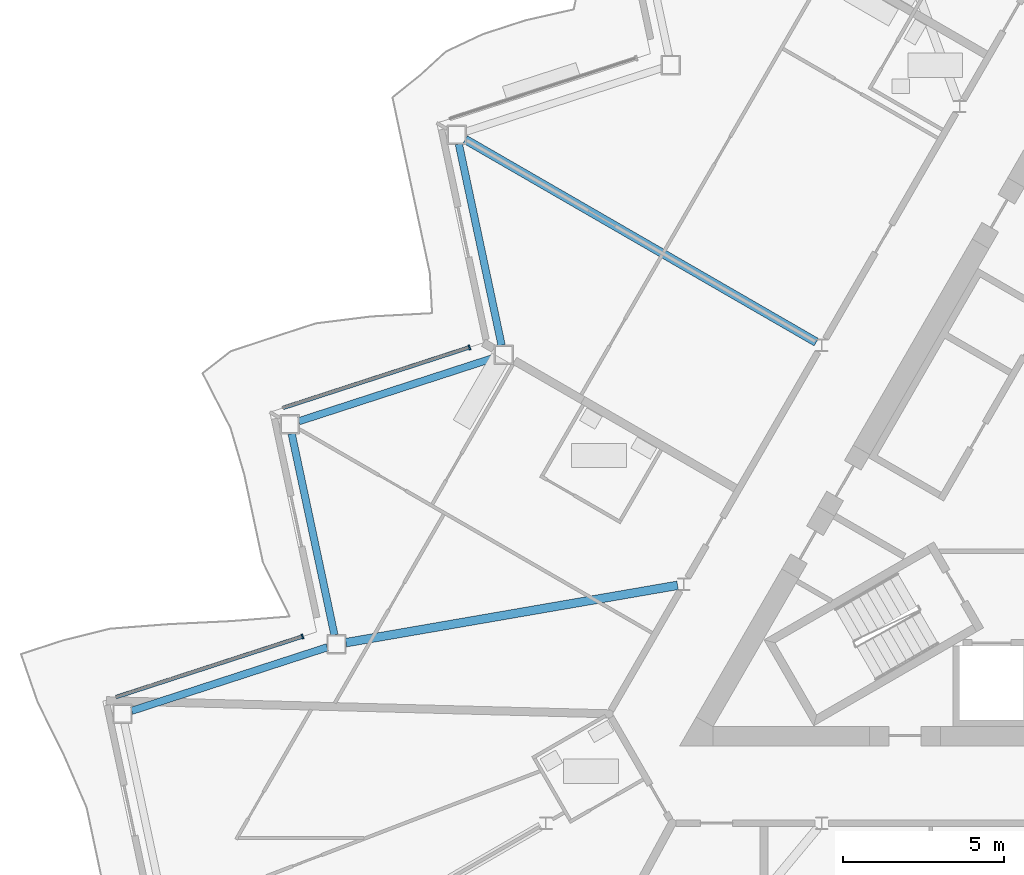
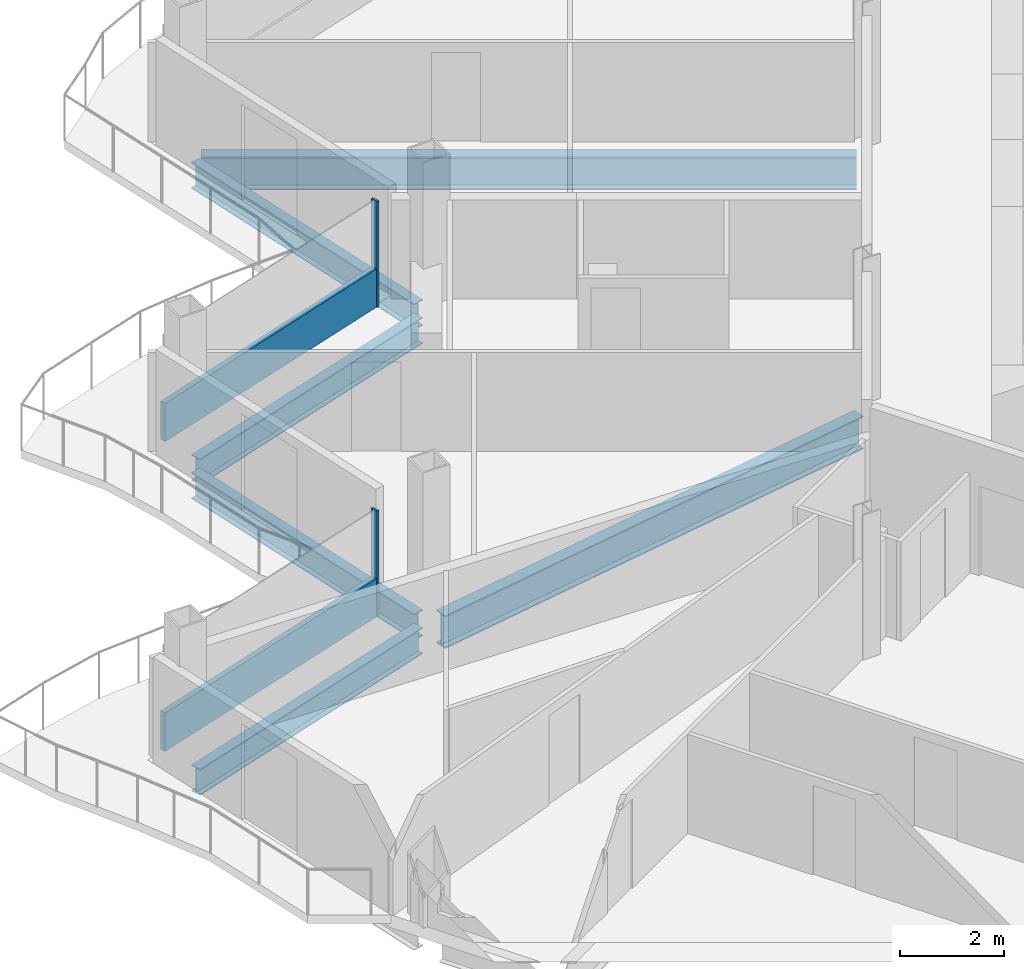
# One storey, part 6 of 28: 6 beams, 4 members, 2 elements without a shape of their own.
"""IFC4 building model written with IfcOpenShell, lengths in metres."""

import ifcopenshell
import ifcopenshell.guid

model = None  # the IFC model being written
_history = None  # IfcOwnerHistory: only IFC2X3 demands one
_inside = {}  # id of a spatial element -> (the spatial element, [elements in it])
_under = {}  # id of a project, library or spatial element -> (it, [spatial elements below it])
_declared = {}  # id of a project -> (the project, [libraries it declares])
_typed = {}  # id of a type object -> (the type object, [elements of that type])
_made_of = {}  # id of a material, layer set ... -> (it, [elements and type objects made of it])


def new_model(schema):
    """Start an empty IFC model of exactly this schema.

    Asked for "IFC4X3", IfcOpenShell would pick the latest addendum, in which some entities
    have other attributes; the version numbers below select the first issue.
    IFC2X3 requires an IfcOwnerHistory on every rooted entity: one is made here for all.
    """
    global model, _history
    if schema == "IFC4X3":
        model = ifcopenshell.file(schema_version=(4, 3, 0, 0))
    else:
        model = ifcopenshell.file(schema=schema)
    _inside.clear()
    _under.clear()
    _declared.clear()
    _typed.clear()
    _made_of.clear()
    _history = None
    if model.schema == "IFC2X3":
        org = make("IfcOrganization", Name="unknown")
        user = make(
            "IfcPersonAndOrganization",
            ThePerson=make("IfcPerson", FamilyName="unknown"),
            TheOrganization=org,
        )
        app = make(
            "IfcApplication",
            ApplicationDeveloper=org,
            Version="unknown",
            ApplicationFullName="unknown",
            ApplicationIdentifier="unknown",
        )
        _history = make(
            "IfcOwnerHistory",
            OwningUser=user,
            OwningApplication=app,
            ChangeAction="ADDED",
            CreationDate=0,
        )
    return model


def make(cls, **values):
    """One entity of the class cls with the attributes given. An attribute that is None is left unset."""
    return model.create_entity(
        cls, **{name: value for name, value in values.items() if value is not None}
    )


def rooted(cls, **values):
    """An entity with a GlobalId (a new one), such as an element, a storey or a relation."""
    return make(cls, GlobalId=ifcopenshell.guid.new(), OwnerHistory=_history, **values)


def si_unit(unit_type, name, prefix=None):
    """IfcSIUnit, for example si_unit("LENGTHUNIT", "METRE", prefix="MILLI")."""
    return make("IfcSIUnit", UnitType=unit_type, Prefix=prefix, Name=name)


def assignment(units):
    """IfcUnitAssignment: the units of a project."""
    return None if units is None else make("IfcUnitAssignment", Units=units)


def point(xyz):
    """IfcCartesianPoint."""
    return None if xyz is None else make("IfcCartesianPoint", Coordinates=xyz)


def direction(xyz):
    """IfcDirection."""
    return None if xyz is None else make("IfcDirection", DirectionRatios=xyz)


def frame(location, z_axis=None, x_axis=None):
    """IfcAxis2Placement3D, a coordinate frame: its origin and axes. An axis left out is left unset."""
    return make(
        "IfcAxis2Placement3D",
        Location=point(location),
        Axis=direction(z_axis),
        RefDirection=direction(x_axis),
    )


def frame_2d(location, x_axis=None):
    """IfcAxis2Placement2D, a coordinate frame in the plane: its origin and x axis."""
    return make(
        "IfcAxis2Placement2D", Location=point(location), RefDirection=direction(x_axis)
    )


def origin():
    """The frame at (0, 0, 0) with its axes left unset."""
    return frame((0.0, 0.0, 0.0))


def origin_2d():
    """The frame at (0, 0) in the plane with its x axis left unset."""
    return frame_2d((0.0, 0.0))


def place(relative_to, where):
    """IfcLocalPlacement: puts the frame where relative to a parent placement (None: the world)."""
    return make(
        "IfcLocalPlacement", PlacementRelTo=relative_to, RelativePlacement=where
    )


def context(
    kind, dimensions, precision=None, world=None, true_north=None, identifier=None
):
    """IfcGeometricRepresentationContext, for example the 3D "Model" context."""
    return make(
        "IfcGeometricRepresentationContext",
        ContextIdentifier=identifier,
        ContextType=kind,
        CoordinateSpaceDimension=dimensions,
        Precision=precision,
        WorldCoordinateSystem=world,
        TrueNorth=true_north,
    )


def subcontext(parent, identifier, kind, view, scale=None):
    """IfcGeometricRepresentationSubContext, for example "Body" below "Model"."""
    return make(
        "IfcGeometricRepresentationSubContext",
        ContextIdentifier=identifier,
        ContextType=kind,
        ParentContext=parent,
        TargetScale=scale,
        TargetView=view,
    )


def project(units=None, contexts=None):
    """IfcProject with its units and contexts."""
    return rooted(
        "IfcProject",
        Name="project",
        RepresentationContexts=contexts,
        UnitsInContext=assignment(units),
    )


def spatial(cls, under=None, at=None, **own):
    """A site, building, storey or space (cls), placed at a placement, below another one or the project."""
    s = rooted(cls, ObjectPlacement=at, **own)
    if under is not None:
        _under.setdefault(under.id(), (under, []))[1].append(s)
    return s


def profile(cls, at=None, kind="AREA", **sizes):
    """A parametric profile (cls). Its sizes go by their IFC names, for example OverallWidth=200.0."""
    return make(cls, ProfileType=kind, Position=at, **sizes)


def rectangle(**sizes):
    """IfcRectangleProfileDef."""
    return profile("IfcRectangleProfileDef", **sizes)


def i_section(**sizes):
    """IfcIShapeProfileDef."""
    return profile("IfcIShapeProfileDef", **sizes)


def extrude(swept, where, along, depth):
    """IfcExtrudedAreaSolid: the profile swept, set in the frame where, extruded along a direction by depth."""
    return make(
        "IfcExtrudedAreaSolid",
        SweptArea=swept,
        Position=where,
        ExtrudedDirection=direction(along),
        Depth=depth,
    )


def shape(context_of_items, identifier, shape_type, items):
    """IfcShapeRepresentation: the items that make up one representation, for example the "Body"."""
    return make(
        "IfcShapeRepresentation",
        ContextOfItems=context_of_items,
        RepresentationIdentifier=identifier,
        RepresentationType=shape_type,
        Items=items,
    )


def material(Name=None, Category=None):
    """IfcMaterial."""
    return make("IfcMaterial", Name=Name, Category=Category)


def layer(
    of_material, thickness, ventilated=None, Name=None, Category=None, Priority=None
):
    """IfcMaterialLayer: one layer of a wall or slab, of a material (None: an air gap)."""
    return make(
        "IfcMaterialLayer",
        Material=of_material,
        LayerThickness=thickness,
        IsVentilated=ventilated,
        Name=Name,
        Category=Category,
        Priority=Priority,
    )


def layer_set(layers, Name=None):
    """IfcMaterialLayerSet."""
    return make("IfcMaterialLayerSet", MaterialLayers=layers, LayerSetName=Name)


def material_profile(
    of_material, cross_section, Name=None, Category=None, Priority=None
):
    """IfcMaterialProfile: a cross section and its material."""
    return make(
        "IfcMaterialProfile",
        Name=Name,
        Material=of_material,
        Profile=cross_section,
        Priority=Priority,
        Category=Category,
    )


def profile_set(profiles, Name=None, composite=None):
    """IfcMaterialProfileSet."""
    return make(
        "IfcMaterialProfileSet",
        Name=Name,
        MaterialProfiles=profiles,
        CompositeProfile=composite,
    )


def made_of(thing, what):
    """Note that an element or type object is made of a material, layer set ...; save() writes the relation."""
    if what is not None:
        _made_of.setdefault(what.id(), (what, []))[1].append(thing)
    return thing


def type_object(cls, material=None, **own):
    """A type object (cls), such as IfcWallType, which elements share."""
    return made_of(rooted(cls, **own), material)


def element(
    cls,
    number,
    at=None,
    inside=None,
    cuts=None,
    type_object=None,
    material=None,
    context=None,
    identifier="Body",
    shape_type=None,
    held_by="IfcProductDefinitionShape",
    body=None,
    shapes=None,
    **own,
):
    """One element of the class cls, such as IfcWall. Its Tag is "e" and its number.

    at: its placement. inside: the storey or other place that contains it. cuts: it is an
    opening in that element (IfcRelVoidsElement). A single representation is given by context,
    identifier, shape_type and body (its items); several are given by shapes. held_by: the class
    of the entity that holds the representations. save() writes the other relations.
    """
    e = rooted(cls, Tag="e%d" % number, ObjectPlacement=at, **own)
    if body is not None:
        shapes = [shape(context, identifier, shape_type, body)]
    if shapes is not None:
        e.Representation = make(held_by, Representations=shapes)
    if inside is not None:
        _inside.setdefault(inside.id(), (inside, []))[1].append(e)
    if cuts is not None:
        rooted(
            "IfcRelVoidsElement", RelatingBuildingElement=cuts, RelatedOpeningElement=e
        )
    if type_object is not None:
        _typed.setdefault(type_object.id(), (type_object, []))[1].append(e)
    return made_of(e, material)


def aggregate(whole, parts):
    """IfcRelAggregates: a whole, such as a stair, and the parts it consists of."""
    return rooted("IfcRelAggregates", RelatingObject=whole, RelatedObjects=parts)


def save(model, path):
    """Write the relations noted so far, then the file.

    IfcRelAggregates (storeys below a building ...), IfcRelContainedInSpatialStructure (elements
    in a storey), IfcRelDefinesByType, IfcRelAssociatesMaterial and IfcRelDeclares: one each for
    every whole, place, type object, material and project.
    """
    for whole, parts in _under.values():
        aggregate(whole, parts)
    for where, things in _inside.values():
        rooted(
            "IfcRelContainedInSpatialStructure",
            RelatedElements=things,
            RelatingStructure=where,
        )
    for kind, things in _typed.values():
        rooted("IfcRelDefinesByType", RelatedObjects=things, RelatingType=kind)
    for what, things in _made_of.values():
        rooted("IfcRelAssociatesMaterial", RelatedObjects=things, RelatingMaterial=what)
    for by, libraries in _declared.values():
        rooted("IfcRelDeclares", RelatingContext=by, RelatedDefinitions=libraries)
    model.write(path)


model = new_model("IFC4")

# Units and contexts
model_context = context("Model", 3, precision=1e-05, world=origin(), true_north=direction((0.0, 1.0)))
body_context = subcontext(model_context, "Body", "Model", "MODEL_VIEW")
ifc_project = project(units=[si_unit("LENGTHUNIT", "METRE"), si_unit("AREAUNIT", "SQUARE_METRE"), si_unit("VOLUMEUNIT", "CUBIC_METRE"), si_unit("PLANEANGLEUNIT", "RADIAN"), si_unit("MASSUNIT", "GRAM", prefix="KILO")], contexts=[model_context])

# Site, building, storey
site_placement = place(None, origin())
site = spatial("IfcSite", under=ifc_project, at=site_placement, CompositionType="ELEMENT")
building_placement = place(site_placement, origin())
building = spatial("IfcBuilding", under=site, at=building_placement, Name="Cormorant Prow Tower", CompositionType="ELEMENT")
storey_placement = place(building_placement, frame((0.0, 0.0, 305.199951171875)))
storey = spatial("IfcBuildingStorey", under=building, at=storey_placement, Name="L66", CompositionType="ELEMENT", Elevation=305.199951171875)

# Beams
ifc_material_1 = material(Name="Structural steel ASTM A992 Gr 50", Category="steel")
ifc_material_profile_1 = material_profile(ifc_material_1, i_section(OverallWidth=0.267822265625, OverallDepth=0.77001953125, WebThickness=0.015625, FlangeThickness=0.025390625, at=origin_2d()), Name="W30x132")
ifc_profile_set_1 = profile_set([ifc_material_profile_1], Name="Structural steel ASTM A992 Gr 50")
beam_type_1 = type_object("IfcBeamType", Name="Radial floor beam W30x132", PredefinedType="BEAM", material=ifc_profile_set_1)
beam_1_placement = place(storey_placement, frame((-8.749755859375, 5.051513671875, -0.684814453125), z_axis=(-0.866021086443, 0.50000747778, 0.0), x_axis=(-0.50000747778, -0.866021086443, 0.0)))
element("IfcBeam", 1, at=beam_1_placement, inside=storey, type_object=beam_type_1, Name="Radial floor beam FB3 3 L66", PredefinedType="BEAM", context=body_context, shape_type="SweptSolid", body=[
    extrude(i_section(OverallWidth=0.267822265625, OverallDepth=0.77001953125, WebThickness=0.015625, FlangeThickness=0.025390625, at=origin_2d()), origin(), (0.0, 0.0, 1.0), 12.604736328125),
])
beam_2_placement = place(storey_placement, frame((-13.0625, -2.510009765625, -0.684814453125), z_axis=(-0.985379592304, -0.170373293304, 0.0), x_axis=(0.170373293304, -0.985379592304, 0.0)))
element("IfcBeam", 2, at=beam_2_placement, inside=storey, type_object=beam_type_1, Name="Radial floor beam FB3 4 L66", PredefinedType="BEAM", context=body_context, shape_type="SweptSolid", body=[
    extrude(i_section(OverallWidth=0.267822265625, OverallDepth=0.77001953125, WebThickness=0.015625, FlangeThickness=0.025390625, at=origin_2d()), origin(), (0.0, 0.0, 1.0), 10.465087890625),
])

# Curtain wall, member
ifc_material_2 = material(Name="Aluminium 6063-T6", Category="aluminium")
ifc_layer = layer(ifc_material_2, 0.159912109375)
ifc_layer_set = layer_set([ifc_layer], Name="Aluminium 6063-T6")
curtain_wall_type = type_object("IfcCurtainWallType", Name="Residential unitised curtain wall 160", PredefinedType="NOTDEFINED", material=ifc_layer_set)
curtain_wall_1_placement = place(storey_placement, origin())
curtain_wall_1 = element("IfcCurtainWall", 3, at=curtain_wall_1_placement, inside=storey, type_object=curtain_wall_type, Name="Residential curtain wall WNW06", PredefinedType="NOTDEFINED")
ifc_material_3 = material(Name="Aluminium 6063-T6", Category="aluminium")
ifc_material_profile_2 = material_profile(ifc_material_3, rectangle(XDim=0.159912109375, YDim=0.050048828125, at=origin_2d()), Name="Residential mullion 50x160")
ifc_profile_set_2 = profile_set([ifc_material_profile_2], Name="Aluminium 6063-T6")
member_type_1 = type_object("IfcMemberType", Name="Residential mullion 50x160", PredefinedType="MULLION", material=ifc_profile_set_2)
member_1_placement = place(storey_placement, frame((-19.5341796875, 4.89013671875, 0.0), z_axis=(0.0, 0.0, 1.0), x_axis=(0.309017039823, -0.951056501528, 0.0)))
member_1 = element("IfcMember", 4, at=member_1_placement, type_object=member_type_1, Name="Residential mullion WNW06", PredefinedType="MULLION", context=body_context, shape_type="SweptSolid", body=[
    extrude(rectangle(XDim=0.159912109375, YDim=0.050048828125, at=origin_2d()), origin(), (0.0, 0.0, 1.0), 2.488037109375),
])

curtain_wall_2_placement = place(storey_placement, origin())
curtain_wall_2 = element("IfcCurtainWall", 5, at=curtain_wall_2_placement, inside=storey, type_object=curtain_wall_type, Name="Residential curtain wall WNW08", PredefinedType="NOTDEFINED")
member_2_placement = place(storey_placement, frame((-24.72509765625, -4.100830078125, 0.0), z_axis=(0.0, 0.0, 1.0), x_axis=(0.309016868255, -0.951056557274, 0.0)))
member_2 = element("IfcMember", 6, at=member_2_placement, type_object=member_type_1, Name="Residential mullion WNW08", PredefinedType="MULLION", context=body_context, shape_type="SweptSolid", body=[
    extrude(rectangle(XDim=0.159912109375, YDim=0.050048828125, at=origin_2d()), origin(), (0.0, 0.0, 1.0), 2.488037109375),
])

# Member
ifc_material_4 = material(Name="Terracotta", Category="masonry")
ifc_material_profile_3 = material_profile(ifc_material_4, rectangle(XDim=0.1201171875, YDim=0.89990234375, at=origin_2d()), Name="Residential terracotta spandrel rail 120x900")
ifc_profile_set_3 = profile_set([ifc_material_profile_3], Name="Terracotta")
member_type_2 = type_object("IfcMemberType", Name="Residential terracotta spandrel rail 120x900", PredefinedType="USERDEFINED", material=ifc_profile_set_3)
member_3_placement = place(storey_placement, frame((-19.557861328125, 4.88232421875, 0.449951171875), z_axis=(-0.951062157434, -0.308999632195, 0.0), x_axis=(0.308999632195, -0.951062157434, 0.0)))
member_3 = element("IfcMember", 7, at=member_3_placement, type_object=member_type_2, Name="Residential spandrel rail WNW06", ObjectType="TRANSOM", PredefinedType="USERDEFINED", context=body_context, shape_type="SweptSolid", body=[
    extrude(rectangle(XDim=0.1201171875, YDim=0.89990234375, at=origin_2d()), origin(), (0.0, 0.0, 1.0), 6.067138671875),
])

aggregate(curtain_wall_1, [member_1, member_3])

member_4_placement = place(storey_placement, frame((-24.748779296875, -4.108642578125, 0.449951171875), z_axis=(-0.951062157434, -0.308999632195, 0.0), x_axis=(0.308999632195, -0.951062157434, 0.0)))
member_4 = element("IfcMember", 8, at=member_4_placement, type_object=member_type_2, Name="Residential spandrel rail WNW08", ObjectType="TRANSOM", PredefinedType="USERDEFINED", context=body_context, shape_type="SweptSolid", body=[
    extrude(rectangle(XDim=0.1201171875, YDim=0.89990234375, at=origin_2d()), origin(), (0.0, 0.0, 1.0), 6.067138671875),
])

aggregate(curtain_wall_2, [member_2, member_4])

# Beams
ifc_material_5 = material(Name="Structural steel ASTM A992 Gr 50", Category="steel")
ifc_material_profile_4 = material_profile(ifc_material_5, i_section(OverallWidth=0.22900390625, OverallDepth=0.612060546875, WebThickness=0.011962890625, FlangeThickness=0.01953125, at=origin_2d()), Name="W24x84")
ifc_profile_set_4 = profile_set([ifc_material_profile_4], Name="Structural steel ASTM A992 Gr 50")
beam_type_2 = type_object("IfcBeamType", Name="Spandrel beam W24x84", PredefinedType="SPANDREL", material=ifc_profile_set_4)
beam_3_placement = place(storey_placement, frame((-19.86328125, 11.210693359375, -0.60595703125), z_axis=(0.20791262393, -0.978147402394, 0.0), x_axis=(0.978147402394, 0.20791262393, 0.0)))
element("IfcBeam", 9, at=beam_3_placement, inside=storey, type_object=beam_type_2, Name="Spandrel beam SB3 WNW05-WNW06 L66", PredefinedType="SPANDREL", context=body_context, shape_type="SweptSolid", body=[
    extrude(i_section(OverallWidth=0.22900390625, OverallDepth=0.612060546875, WebThickness=0.011962890625, FlangeThickness=0.01953125, at=origin_2d()), origin(), (0.0, 0.0, 1.0), 6.396240234375),
])
beam_4_placement = place(storey_placement, frame((-18.75634765625, 4.568115234375, -0.60595703125), z_axis=(-0.951064359156, -0.308992855489, 0.0), x_axis=(0.308992855489, -0.951064359156, 0.0)))
element("IfcBeam", 10, at=beam_4_placement, inside=storey, type_object=beam_type_2, Name="Spandrel beam SB3 WNW06-WNW07 L66", PredefinedType="SPANDREL", context=body_context, shape_type="SweptSolid", body=[
    extrude(i_section(OverallWidth=0.22900390625, OverallDepth=0.612060546875, WebThickness=0.011962890625, FlangeThickness=0.01953125, at=origin_2d()), origin(), (0.0, 0.0, 1.0), 6.39599609375),
])
beam_5_placement = place(storey_placement, frame((-25.062255859375, 2.20556640625, -0.60595703125), z_axis=(0.20791262393, -0.978147402394, 0.0), x_axis=(0.978147402394, 0.20791262393, 0.0)))
element("IfcBeam", 11, at=beam_5_placement, inside=storey, type_object=beam_type_2, Name="Spandrel beam SB3 WNW07-WNW08 L66", PredefinedType="SPANDREL", context=body_context, shape_type="SweptSolid", body=[
    extrude(i_section(OverallWidth=0.22900390625, OverallDepth=0.612060546875, WebThickness=0.011962890625, FlangeThickness=0.01953125, at=origin_2d()), origin(), (0.0, 0.0, 1.0), 6.396240234375),
])
beam_6_placement = place(storey_placement, frame((-23.955322265625, -4.43701171875, -0.60595703125), z_axis=(-0.951064359156, -0.308992855489, 0.0), x_axis=(0.308992855489, -0.951064359156, 0.0)))
element("IfcBeam", 12, at=beam_6_placement, inside=storey, type_object=beam_type_2, Name="Spandrel beam SB3 WNW08-WNW09 L66", PredefinedType="SPANDREL", context=body_context, shape_type="SweptSolid", body=[
    extrude(i_section(OverallWidth=0.22900390625, OverallDepth=0.612060546875, WebThickness=0.011962890625, FlangeThickness=0.01953125, at=origin_2d()), origin(), (0.0, 0.0, 1.0), 6.39599609375),
])

save(model, "model.ifc")
